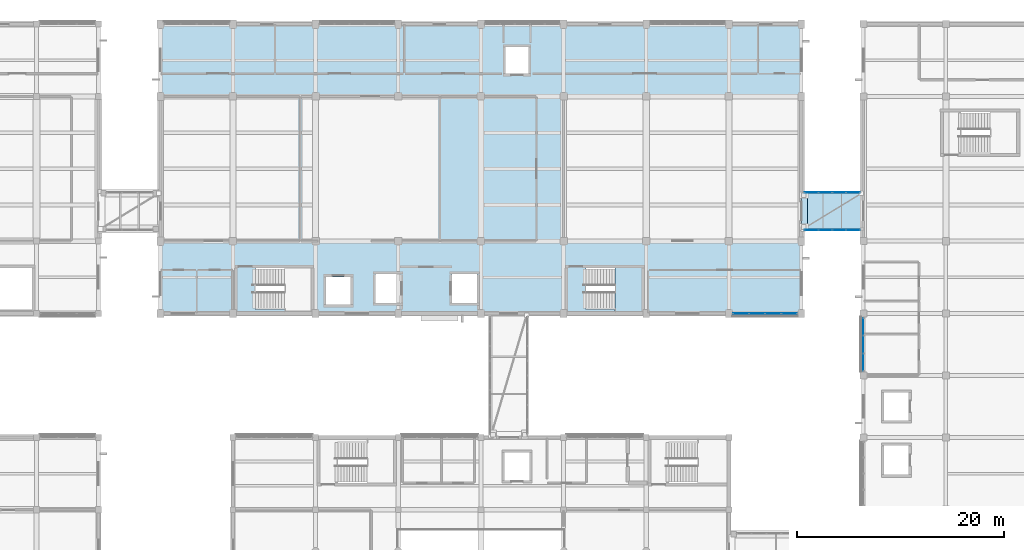
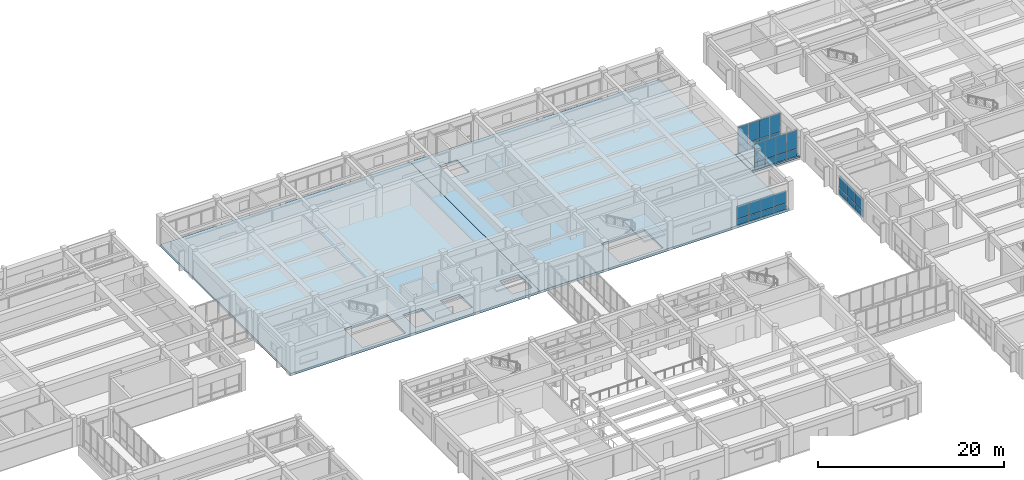
# One storey, part 40 of 66: 31 plates, 4 slabs, 5 elements without a shape of their own.
"""IFC4 building model written with IfcOpenShell, lengths in metres."""

from ifc_helpers import new_model, si_unit, direction, frame, origin, origin_2d, place, context, subcontext, project, spatial, polyline, rectangle, outline, extrude, material, layer, layer_set, type_object, element, aggregate, save


model = new_model("IFC4")

# Units and contexts
model_context = context("Model", 3, precision=1e-05, world=origin(), true_north=direction((0.0, 1.0)))
body_context = subcontext(model_context, "Body", "Model", "MODEL_VIEW")
ifc_project = project(units=[si_unit("LENGTHUNIT", "METRE"), si_unit("AREAUNIT", "SQUARE_METRE"), si_unit("VOLUMEUNIT", "CUBIC_METRE"), si_unit("PLANEANGLEUNIT", "RADIAN"), si_unit("MASSUNIT", "GRAM", prefix="KILO")], contexts=[model_context])

# Site, building, storey
site_placement = place(None, origin())
site = spatial("IfcSite", under=ifc_project, at=site_placement, CompositionType="ELEMENT")
building_placement = place(site_placement, origin())
building = spatial("IfcBuilding", under=site, at=building_placement, Name="Naurynzar Civic Courthouse", CompositionType="ELEMENT")
storey_placement = place(building_placement, frame((0.0, 0.0, 14.39990234375)))
storey = spatial("IfcBuildingStorey", under=building, at=storey_placement, Name="L04", CompositionType="ELEMENT", Elevation=14.39990234375)

# Curtain wall, plates
ifc_material_1 = material(Name="Aluminium 6063-T6", Category="aluminium")
ifc_layer_1 = layer(ifc_material_1, 0.179931640625)
ifc_layer_set_1 = layer_set([ifc_layer_1], Name="CW-UNIT-1500")
curtain_wall_type_1 = type_object("IfcCurtainWallType", Name="CW-UNIT-1500", PredefinedType="NOTDEFINED", material=ifc_layer_set_1)
curtain_wall_1_placement = place(storey_placement, origin())
curtain_wall_1 = element("IfcCurtainWall", 1, at=curtain_wall_1_placement, inside=storey, type_object=curtain_wall_type_1, Name="V2 unitised curtain wall 35 L04", PredefinedType="NOTDEFINED")
ifc_material_2 = material(Name="Tempered Laminated Low-E Glass", Category="glass")
ifc_layer_2 = layer(ifc_material_2, 0.031982421875)
ifc_layer_set_2 = layer_set([ifc_layer_2], Name="CWP-IGU-32")
plate_type_1 = type_object("IfcPlateType", Name="CWP-IGU-32", PredefinedType="CURTAIN_PANEL", material=ifc_layer_set_2)
plate_1_placement = place(storey_placement, frame((122.828857421875, 44.0, 0.06005859375), z_axis=(0.0, 0.0, 1.0), x_axis=(-1.0, 0.0, 0.0)))
plate_1 = element("IfcPlate", 2, at=plate_1_placement, type_object=plate_type_1, Name="CW-01 panel 1.1", PredefinedType="CURTAIN_PANEL", context=body_context, shape_type="SweptSolid", body=[
    extrude(rectangle(XDim=1.472412109375, YDim=0.031982421875, at=origin_2d()), origin(), (0.0, 0.0, 1.0), 0.760009765625),
])
plate_2_placement = place(storey_placement, frame((122.828857421875, 44.0, 0.880126953125), z_axis=(0.0, 0.0, 1.0), x_axis=(-1.0, 0.0, 0.0)))
plate_2 = element("IfcPlate", 3, at=plate_2_placement, type_object=plate_type_1, Name="CW-01 panel 1.2", PredefinedType="CURTAIN_PANEL", context=body_context, shape_type="SweptSolid", body=[
    extrude(rectangle(XDim=1.472412109375, YDim=0.031982421875, at=origin_2d()), origin(), (0.0, 0.0, 1.0), 1.669921875),
])
plate_3_placement = place(storey_placement, frame((121.28125, 44.0, 0.06005859375), z_axis=(0.0, 0.0, 1.0), x_axis=(-1.0, 0.0, 0.0)))
plate_3 = element("IfcPlate", 4, at=plate_3_placement, type_object=plate_type_1, Name="CW-01 panel 2.1", PredefinedType="CURTAIN_PANEL", context=body_context, shape_type="SweptSolid", body=[
    extrude(rectangle(XDim=1.50244140625, YDim=0.031982421875, at=origin_2d()), origin(), (0.0, 0.0, 1.0), 0.760009765625),
])
plate_4_placement = place(storey_placement, frame((121.28125, 44.0, 0.880126953125), z_axis=(0.0, 0.0, 1.0), x_axis=(-1.0, 0.0, 0.0)))
plate_4 = element("IfcPlate", 5, at=plate_4_placement, type_object=plate_type_1, Name="CW-01 panel 2.2", PredefinedType="CURTAIN_PANEL", context=body_context, shape_type="SweptSolid", body=[
    extrude(rectangle(XDim=1.50244140625, YDim=0.031982421875, at=origin_2d()), origin(), (0.0, 0.0, 1.0), 1.669921875),
])
plate_5_placement = place(storey_placement, frame((119.71875, 44.0, 0.06005859375), z_axis=(0.0, 0.0, 1.0), x_axis=(-1.0, 0.0, 0.0)))
plate_5 = element("IfcPlate", 6, at=plate_5_placement, type_object=plate_type_1, Name="CW-01 panel 3.1", PredefinedType="CURTAIN_PANEL", context=body_context, shape_type="SweptSolid", body=[
    extrude(rectangle(XDim=1.50244140625, YDim=0.031982421875, at=origin_2d()), origin(), (0.0, 0.0, 1.0), 0.760009765625),
])
plate_6_placement = place(storey_placement, frame((119.71875, 44.0, 0.880126953125), z_axis=(0.0, 0.0, 1.0), x_axis=(-1.0, 0.0, 0.0)))
plate_6 = element("IfcPlate", 7, at=plate_6_placement, type_object=plate_type_1, Name="CW-01 panel 3.2", PredefinedType="CURTAIN_PANEL", context=body_context, shape_type="SweptSolid", body=[
    extrude(rectangle(XDim=1.50244140625, YDim=0.031982421875, at=origin_2d()), origin(), (0.0, 0.0, 1.0), 1.669921875),
])
plate_7_placement = place(storey_placement, frame((118.171142578125, 44.0, 0.06005859375), z_axis=(0.0, 0.0, 1.0), x_axis=(-1.0, 0.0, 0.0)))
plate_7 = element("IfcPlate", 8, at=plate_7_placement, type_object=plate_type_1, Name="CW-01 panel 4.1", PredefinedType="CURTAIN_PANEL", context=body_context, shape_type="SweptSolid", body=[
    extrude(rectangle(XDim=1.472412109375, YDim=0.031982421875, at=origin_2d()), origin(), (0.0, 0.0, 1.0), 0.760009765625),
])
plate_8_placement = place(storey_placement, frame((118.171142578125, 44.0, 0.880126953125), z_axis=(0.0, 0.0, 1.0), x_axis=(-1.0, 0.0, 0.0)))
plate_8 = element("IfcPlate", 9, at=plate_8_placement, type_object=plate_type_1, Name="CW-01 panel 4.2", PredefinedType="CURTAIN_PANEL", context=body_context, shape_type="SweptSolid", body=[
    extrude(rectangle(XDim=1.472412109375, YDim=0.031982421875, at=origin_2d()), origin(), (0.0, 0.0, 1.0), 1.669921875),
])
aggregate(curtain_wall_1, [plate_1, plate_2, plate_3, plate_4, plate_5, plate_6, plate_7, plate_8])

curtain_wall_2_placement = place(storey_placement, origin())
curtain_wall_2 = element("IfcCurtainWall", 10, at=curtain_wall_2_placement, inside=storey, type_object=curtain_wall_type_1, Name="V5 unitised curtain wall 99 L04", PredefinedType="NOTDEFINED")
plate_9_placement = place(storey_placement, frame((130.0, 39.2734375, 0.06005859375), z_axis=(0.0, 0.0, 1.0), x_axis=(0.0, 1.0, 0.0)))
plate_9 = element("IfcPlate", 11, at=plate_9_placement, type_object=plate_type_1, Name="CW-01 panel 1.1", PredefinedType="CURTAIN_PANEL", context=body_context, shape_type="SweptSolid", body=[
    extrude(rectangle(XDim=1.651611328125, YDim=0.031982421875, at=origin_2d()), origin(), (0.0, 0.0, 1.0), 0.760009765625),
])
plate_10_placement = place(storey_placement, frame((130.0, 39.2734375, 0.880126953125), z_axis=(0.0, 0.0, 1.0), x_axis=(0.0, 1.0, 0.0)))
plate_10 = element("IfcPlate", 12, at=plate_10_placement, type_object=plate_type_1, Name="CW-01 panel 1.2", PredefinedType="CURTAIN_PANEL", context=body_context, shape_type="SweptSolid", body=[
    extrude(rectangle(XDim=1.651611328125, YDim=0.031982421875, at=origin_2d()), origin(), (0.0, 0.0, 1.0), 1.669921875),
])
plate_11_placement = place(storey_placement, frame((130.0, 41.0, 0.06005859375), z_axis=(0.0, 0.0, 1.0), x_axis=(0.0, 1.0, 0.0)))
plate_11 = element("IfcPlate", 13, at=plate_11_placement, type_object=plate_type_1, Name="CW-01 panel 2.1", PredefinedType="CURTAIN_PANEL", context=body_context, shape_type="SweptSolid", body=[
    extrude(rectangle(XDim=1.681640625, YDim=0.031982421875, at=origin_2d()), origin(), (0.0, 0.0, 1.0), 0.760009765625),
])
plate_12_placement = place(storey_placement, frame((130.0, 41.0, 0.880126953125), z_axis=(0.0, 0.0, 1.0), x_axis=(0.0, 1.0, 0.0)))
plate_12 = element("IfcPlate", 14, at=plate_12_placement, type_object=plate_type_1, Name="CW-01 panel 2.2", PredefinedType="CURTAIN_PANEL", context=body_context, shape_type="SweptSolid", body=[
    extrude(rectangle(XDim=1.681640625, YDim=0.031982421875, at=origin_2d()), origin(), (0.0, 0.0, 1.0), 1.669921875),
])
plate_13_placement = place(storey_placement, frame((130.0, 42.7265625, 0.06005859375), z_axis=(0.0, 0.0, 1.0), x_axis=(0.0, 1.0, 0.0)))
plate_13 = element("IfcPlate", 15, at=plate_13_placement, type_object=plate_type_1, Name="CW-01 panel 3.1", PredefinedType="CURTAIN_PANEL", context=body_context, shape_type="SweptSolid", body=[
    extrude(rectangle(XDim=1.651611328125, YDim=0.031982421875, at=origin_2d()), origin(), (0.0, 0.0, 1.0), 0.760009765625),
])
plate_14_placement = place(storey_placement, frame((130.0, 42.7265625, 0.880126953125), z_axis=(0.0, 0.0, 1.0), x_axis=(0.0, 1.0, 0.0)))
plate_14 = element("IfcPlate", 16, at=plate_14_placement, type_object=plate_type_1, Name="CW-01 panel 3.2", PredefinedType="CURTAIN_PANEL", context=body_context, shape_type="SweptSolid", body=[
    extrude(rectangle(XDim=1.651611328125, YDim=0.031982421875, at=origin_2d()), origin(), (0.0, 0.0, 1.0), 1.669921875),
])
aggregate(curtain_wall_2, [plate_9, plate_10, plate_11, plate_12, plate_13, plate_14])

ifc_material_3 = material(Name="Aluminium 6063-T6", Category="aluminium")
ifc_layer_3 = layer(ifc_material_3, 0.14990234375)
ifc_layer_set_3 = layer_set([ifc_layer_3], Name="CW-BRIDGE-1500")
curtain_wall_type_2 = type_object("IfcCurtainWallType", Name="CW-BRIDGE-1500", PredefinedType="USERDEFINED", material=ifc_layer_set_3)
curtain_wall_3_placement = place(storey_placement, origin())
curtain_wall_3 = element("IfcCurtainWall", 17, at=curtain_wall_3_placement, inside=storey, type_object=curtain_wall_type_2, Name="BR-E1 glazed bridge screen L04.1", ObjectType="GLAZED BRIDGE SCREEN", PredefinedType="USERDEFINED")
plate_15_placement = place(storey_placement, frame((124.989990234375, 52.080078125, 0.06005859375), z_axis=(0.0, 0.0, 1.0), x_axis=(1.0, 0.0, 0.0)))
plate_15 = element("IfcPlate", 18, at=plate_15_placement, type_object=plate_type_1, Name="CW-03 panel 1.1", PredefinedType="CURTAIN_PANEL", context=body_context, shape_type="SweptSolid", body=[
    extrude(rectangle(XDim=1.260009765625, YDim=0.031982421875, at=origin_2d()), origin(), (0.0, 0.0, 1.0), 0.909912109375),
])
plate_16_placement = place(storey_placement, frame((124.989990234375, 52.080078125, 1.0302734375), z_axis=(0.0, 0.0, 1.0), x_axis=(1.0, 0.0, 0.0)))
plate_16 = element("IfcPlate", 19, at=plate_16_placement, type_object=plate_type_1, Name="CW-03 panel 1.2", PredefinedType="CURTAIN_PANEL", context=body_context, shape_type="SweptSolid", body=[
    extrude(rectangle(XDim=1.260009765625, YDim=0.031982421875, at=origin_2d()), origin(), (0.0, 0.0, 1.0), 2.429931640625),
])
plate_17_placement = place(storey_placement, frame((126.324951171875, 52.080078125, 0.06005859375), z_axis=(0.0, 0.0, 1.0), x_axis=(1.0, 0.0, 0.0)))
plate_17 = element("IfcPlate", 20, at=plate_17_placement, type_object=plate_type_1, Name="CW-03 panel 2.1", PredefinedType="CURTAIN_PANEL", context=body_context, shape_type="SweptSolid", body=[
    extrude(rectangle(XDim=1.2900390625, YDim=0.031982421875, at=origin_2d()), origin(), (0.0, 0.0, 1.0), 0.909912109375),
])
plate_18_placement = place(storey_placement, frame((126.324951171875, 52.080078125, 1.0302734375), z_axis=(0.0, 0.0, 1.0), x_axis=(1.0, 0.0, 0.0)))
plate_18 = element("IfcPlate", 21, at=plate_18_placement, type_object=plate_type_1, Name="CW-03 panel 2.2", PredefinedType="CURTAIN_PANEL", context=body_context, shape_type="SweptSolid", body=[
    extrude(rectangle(XDim=1.2900390625, YDim=0.031982421875, at=origin_2d()), origin(), (0.0, 0.0, 1.0), 2.429931640625),
])
plate_19_placement = place(storey_placement, frame((127.675048828125, 52.080078125, 0.06005859375), z_axis=(0.0, 0.0, 1.0), x_axis=(1.0, 0.0, 0.0)))
plate_19 = element("IfcPlate", 22, at=plate_19_placement, type_object=plate_type_1, Name="CW-03 panel 3.1", PredefinedType="CURTAIN_PANEL", context=body_context, shape_type="SweptSolid", body=[
    extrude(rectangle(XDim=1.2900390625, YDim=0.031982421875, at=origin_2d()), origin(), (0.0, 0.0, 1.0), 0.909912109375),
])
plate_20_placement = place(storey_placement, frame((127.675048828125, 52.080078125, 1.0302734375), z_axis=(0.0, 0.0, 1.0), x_axis=(1.0, 0.0, 0.0)))
plate_20 = element("IfcPlate", 23, at=plate_20_placement, type_object=plate_type_1, Name="CW-03 panel 3.2", PredefinedType="CURTAIN_PANEL", context=body_context, shape_type="SweptSolid", body=[
    extrude(rectangle(XDim=1.2900390625, YDim=0.031982421875, at=origin_2d()), origin(), (0.0, 0.0, 1.0), 2.429931640625),
])
plate_21_placement = place(storey_placement, frame((129.010009765625, 52.080078125, 0.06005859375), z_axis=(0.0, 0.0, 1.0), x_axis=(1.0, 0.0, 0.0)))
plate_21 = element("IfcPlate", 24, at=plate_21_placement, type_object=plate_type_1, Name="CW-03 panel 4.1", PredefinedType="CURTAIN_PANEL", context=body_context, shape_type="SweptSolid", body=[
    extrude(rectangle(XDim=1.260009765625, YDim=0.031982421875, at=origin_2d()), origin(), (0.0, 0.0, 1.0), 0.909912109375),
])
plate_22_placement = place(storey_placement, frame((129.010009765625, 52.080078125, 1.0302734375), z_axis=(0.0, 0.0, 1.0), x_axis=(1.0, 0.0, 0.0)))
plate_22 = element("IfcPlate", 25, at=plate_22_placement, type_object=plate_type_1, Name="CW-03 panel 4.2", PredefinedType="CURTAIN_PANEL", context=body_context, shape_type="SweptSolid", body=[
    extrude(rectangle(XDim=1.260009765625, YDim=0.031982421875, at=origin_2d()), origin(), (0.0, 0.0, 1.0), 2.429931640625),
])
aggregate(curtain_wall_3, [plate_15, plate_16, plate_17, plate_18, plate_19, plate_20, plate_21, plate_22])

curtain_wall_4_placement = place(storey_placement, origin())
curtain_wall_4 = element("IfcCurtainWall", 26, at=curtain_wall_4_placement, inside=storey, type_object=curtain_wall_type_2, Name="BR-E1 glazed bridge screen L04.2", ObjectType="GLAZED BRIDGE SCREEN", PredefinedType="USERDEFINED")
plate_23_placement = place(storey_placement, frame((129.010009765625, 55.719970703125, 0.06005859375), z_axis=(0.0, 0.0, 1.0), x_axis=(-1.0, 0.0, 0.0)))
plate_23 = element("IfcPlate", 27, at=plate_23_placement, type_object=plate_type_1, Name="CW-03 panel 1.1", PredefinedType="CURTAIN_PANEL", context=body_context, shape_type="SweptSolid", body=[
    extrude(rectangle(XDim=1.260009765625, YDim=0.031982421875, at=origin_2d()), origin(), (0.0, 0.0, 1.0), 0.909912109375),
])
plate_24_placement = place(storey_placement, frame((129.010009765625, 55.719970703125, 1.0302734375), z_axis=(0.0, 0.0, 1.0), x_axis=(-1.0, 0.0, 0.0)))
plate_24 = element("IfcPlate", 28, at=plate_24_placement, type_object=plate_type_1, Name="CW-03 panel 1.2", PredefinedType="CURTAIN_PANEL", context=body_context, shape_type="SweptSolid", body=[
    extrude(rectangle(XDim=1.260009765625, YDim=0.031982421875, at=origin_2d()), origin(), (0.0, 0.0, 1.0), 2.429931640625),
])
plate_25_placement = place(storey_placement, frame((127.675048828125, 55.719970703125, 0.06005859375), z_axis=(0.0, 0.0, 1.0), x_axis=(-1.0, 0.0, 0.0)))
plate_25 = element("IfcPlate", 29, at=plate_25_placement, type_object=plate_type_1, Name="CW-03 panel 2.1", PredefinedType="CURTAIN_PANEL", context=body_context, shape_type="SweptSolid", body=[
    extrude(rectangle(XDim=1.2900390625, YDim=0.031982421875, at=origin_2d()), origin(), (0.0, 0.0, 1.0), 0.909912109375),
])
plate_26_placement = place(storey_placement, frame((127.675048828125, 55.719970703125, 1.0302734375), z_axis=(0.0, 0.0, 1.0), x_axis=(-1.0, 0.0, 0.0)))
plate_26 = element("IfcPlate", 30, at=plate_26_placement, type_object=plate_type_1, Name="CW-03 panel 2.2", PredefinedType="CURTAIN_PANEL", context=body_context, shape_type="SweptSolid", body=[
    extrude(rectangle(XDim=1.2900390625, YDim=0.031982421875, at=origin_2d()), origin(), (0.0, 0.0, 1.0), 2.429931640625),
])
plate_27_placement = place(storey_placement, frame((126.324951171875, 55.719970703125, 0.06005859375), z_axis=(0.0, 0.0, 1.0), x_axis=(-1.0, 0.0, 0.0)))
plate_27 = element("IfcPlate", 31, at=plate_27_placement, type_object=plate_type_1, Name="CW-03 panel 3.1", PredefinedType="CURTAIN_PANEL", context=body_context, shape_type="SweptSolid", body=[
    extrude(rectangle(XDim=1.2900390625, YDim=0.031982421875, at=origin_2d()), origin(), (0.0, 0.0, 1.0), 0.909912109375),
])
plate_28_placement = place(storey_placement, frame((126.324951171875, 55.719970703125, 1.0302734375), z_axis=(0.0, 0.0, 1.0), x_axis=(-1.0, 0.0, 0.0)))
plate_28 = element("IfcPlate", 32, at=plate_28_placement, type_object=plate_type_1, Name="CW-03 panel 3.2", PredefinedType="CURTAIN_PANEL", context=body_context, shape_type="SweptSolid", body=[
    extrude(rectangle(XDim=1.2900390625, YDim=0.031982421875, at=origin_2d()), origin(), (0.0, 0.0, 1.0), 2.429931640625),
])
plate_29_placement = place(storey_placement, frame((124.989990234375, 55.719970703125, 0.06005859375), z_axis=(0.0, 0.0, 1.0), x_axis=(-1.0, 0.0, 0.0)))
plate_29 = element("IfcPlate", 33, at=plate_29_placement, type_object=plate_type_1, Name="CW-03 panel 4.1", PredefinedType="CURTAIN_PANEL", context=body_context, shape_type="SweptSolid", body=[
    extrude(rectangle(XDim=1.260009765625, YDim=0.031982421875, at=origin_2d()), origin(), (0.0, 0.0, 1.0), 0.909912109375),
])
plate_30_placement = place(storey_placement, frame((124.989990234375, 55.719970703125, 1.0302734375), z_axis=(0.0, 0.0, 1.0), x_axis=(-1.0, 0.0, 0.0)))
plate_30 = element("IfcPlate", 34, at=plate_30_placement, type_object=plate_type_1, Name="CW-03 panel 4.2", PredefinedType="CURTAIN_PANEL", context=body_context, shape_type="SweptSolid", body=[
    extrude(rectangle(XDim=1.260009765625, YDim=0.031982421875, at=origin_2d()), origin(), (0.0, 0.0, 1.0), 2.429931640625),
])
aggregate(curtain_wall_4, [plate_23, plate_24, plate_25, plate_26, plate_27, plate_28, plate_29, plate_30])

# Plate
ifc_material_4 = material(Name="Brushed Stainless Steel 304", Category="steel")
ifc_layer_4 = layer(ifc_material_4, 0.011962890625)
ifc_layer_set_4 = layer_set([ifc_layer_4], Name="PLT-SEISMIC-COVER-12")
plate_type_2 = type_object("IfcPlateType", Name="PLT-SEISMIC-COVER-12", PredefinedType="SHEET", material=ifc_layer_set_4)
plate_31_placement = place(storey_placement, frame((124.300048828125, 53.89990234375, 0.0), z_axis=(0.0, 0.0, 1.0), x_axis=(1.0, 0.0, 0.0)))
element("IfcPlate", 35, at=plate_31_placement, inside=storey, type_object=plate_type_2, Name="BR-E1 seismic floor joint cover plate L04", PredefinedType="SHEET", context=body_context, shape_type="SweptSolid", body=[
    extrude(rectangle(XDim=0.60009765625, YDim=3.39990234375, at=origin_2d()), origin(), (0.0, 0.0, 1.0), 0.011962890625),
])

# Slab
ifc_material_5 = material(Name="Concrete C35/45", Category="concrete")
ifc_layer_5 = layer(ifc_material_5, 0.239990234375)
ifc_layer_set_5 = layer_set([ifc_layer_5], Name="SLB-BRG-240")
slab_type_1 = type_object("IfcSlabType", Name="SLB-BRG-240", PredefinedType="FLOOR", material=ifc_layer_set_5)
slab_1_placement = place(storey_placement, frame((0.0, 0.0, -0.239990234375)))
element("IfcSlab", 36, at=slab_1_placement, inside=storey, type_object=slab_type_1, Name="East Judicial Seismic Link Passage deck slab L04", PredefinedType="FLOOR", context=body_context, shape_type="SweptSolid", body=[
    extrude(outline(polyline([(124.02001953125, 52.02001953125), (129.97998046875, 52.02001953125), (129.97998046875, 55.780029296875), (124.02001953125, 55.780029296875), (124.02001953125, 52.02001953125)])), origin(), (0.0, 0.0, 1.0), 0.239990234375),
])

# Stair, slab
ifc_material_6 = material(Name="Concrete C35/45", Category="concrete")
stair_type = type_object("IfcStairType", Name="STAIR-CORE-1600", PredefinedType="TWO_STRAIGHT_RUN_STAIR", material=ifc_material_6)
stair_placement = place(storey_placement, origin())
stair = element("IfcStair", 37, at=stair_placement, inside=storey, type_object=stair_type, Name="Enclosed escape stair ST-V2B L04", PredefinedType="TWO_STRAIGHT_RUN_STAIR")
ifc_material_7 = material(Name="Concrete C35/45", Category="concrete")
ifc_layer_6 = layer(ifc_material_7, 0.199951171875)
ifc_layer_set_6 = layer_set([ifc_layer_6], Name="SLB-LAND-200")
slab_type_2 = type_object("IfcSlabType", Name="SLB-LAND-200", PredefinedType="LANDING", material=ifc_layer_set_6)
slab_2_placement = place(storey_placement, frame((0.0, 0.0, 1.75)))
slab_2 = element("IfcSlab", 38, at=slab_2_placement, type_object=slab_type_2, Name="ST-V2B-L04 landing 1", PredefinedType="LANDING", context=body_context, shape_type="SweptSolid", body=[
    extrude(outline(polyline([(105.97998046875, 44.080078125), (108.669921875, 44.080078125), (108.669921875, 48.52001953125), (105.97998046875, 48.52001953125), (105.97998046875, 44.080078125)])), origin(), (0.0, 0.0, 1.0), 0.2001953125),
])
aggregate(stair, [slab_2])

# Slabs
ifc_material_8 = material(Name="Concrete C35/45", Category="concrete")
ifc_layer_7 = layer(ifc_material_8, 0.300048828125)
ifc_layer_set_7 = layer_set([ifc_layer_7], Name="SLB-PT-300")
slab_type_3 = type_object("IfcSlabType", Name="SLB-PT-300", PredefinedType="FLOOR", material=ifc_layer_set_7)
slab_3_placement = place(storey_placement, frame((0.0, 0.0, -0.2998046875)))
element("IfcSlab", 39, at=slab_3_placement, inside=storey, type_object=slab_type_3, Name="V2 floor slab L04 W", PredefinedType="FLOOR", context=body_context, shape_type="SweptSolid", body=[
    extrude(outline(polyline([(93.0, 44.0), (93.0, 72.0), (62.0, 72.0), (62.0, 44.0), (93.0, 44.0)]), holes=[polyline([(71.179931640625, 44.39990234375), (76.550048828125, 44.39990234375), (76.550048828125, 48.39990234375), (71.179931640625, 48.39990234375), (71.179931640625, 44.39990234375)]), polyline([(78.0, 44.85009765625), (80.39990234375, 44.85009765625), (80.39990234375, 47.550048828125), (78.0, 47.550048828125), (78.0, 44.85009765625)]), polyline([(82.800048828125, 45.0), (85.199951171875, 45.0), (85.199951171875, 47.800048828125), (82.800048828125, 47.800048828125), (82.800048828125, 45.0)]), polyline([(90.199951171875, 45.0), (92.60009765625, 45.0), (92.60009765625, 47.800048828125), (90.199951171875, 47.800048828125), (90.199951171875, 45.0)])]), origin(), (0.0, 0.0, 1.0), 0.2998046875),
])
slab_4_placement = place(storey_placement, frame((0.0, 0.0, -0.2998046875)))
element("IfcSlab", 40, at=slab_4_placement, inside=storey, type_object=slab_type_3, Name="V2 floor slab L04 E", PredefinedType="FLOOR", context=body_context, shape_type="SweptSolid", body=[
    extrude(outline(polyline([(124.0, 44.0), (124.0, 72.0), (93.0, 72.0), (93.0, 44.0), (124.0, 44.0)]), holes=[polyline([(103.179931640625, 44.39990234375), (108.550048828125, 44.39990234375), (108.550048828125, 48.39990234375), (103.179931640625, 48.39990234375), (103.179931640625, 44.39990234375)]), polyline([(95.39990234375, 67.199951171875), (97.60009765625, 67.199951171875), (97.60009765625, 69.800048828125), (95.39990234375, 69.800048828125), (95.39990234375, 67.199951171875)])]), origin(), (0.0, 0.0, 1.0), 0.2998046875),
])

save(model, "model.ifc")
